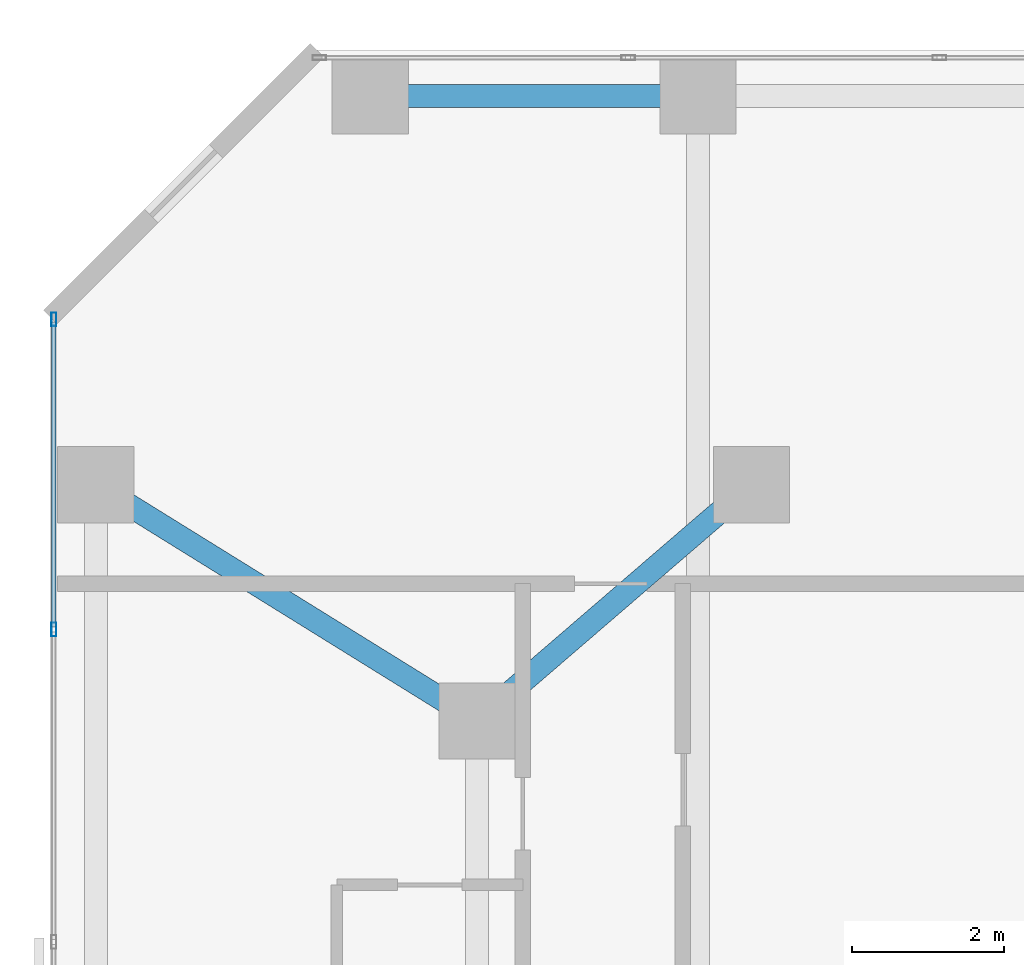
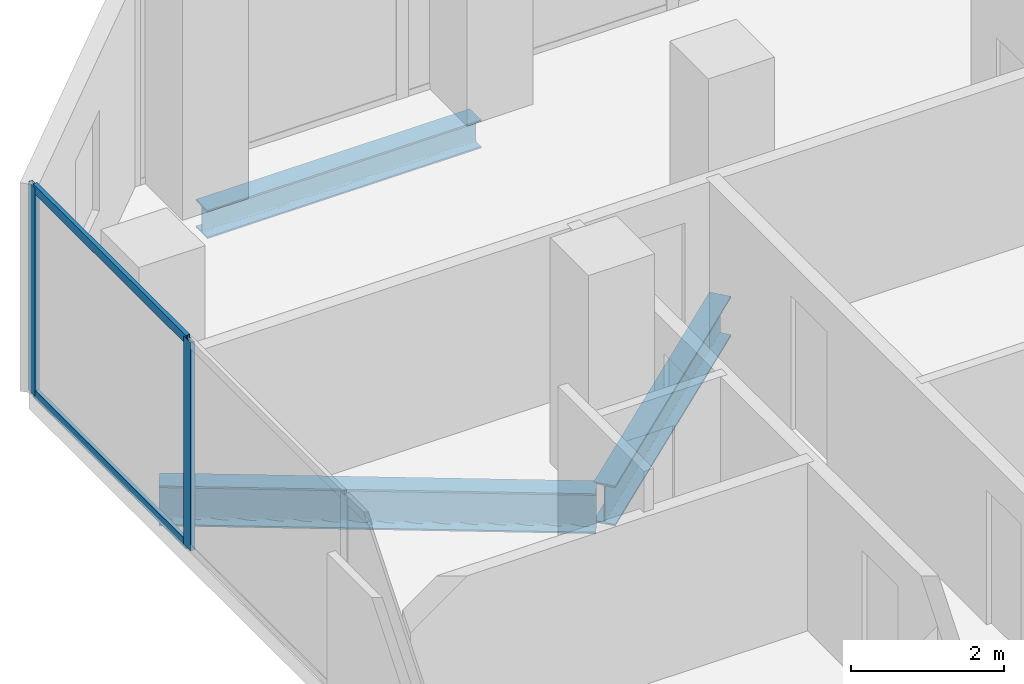
# One storey, part 18 of 32: 4 members, 3 beams, 1 element without a shape of its own.
"""IFC4 building model written with IfcOpenShell, lengths in metres."""

from ifc_helpers import new_model, si_unit, direction, frame, origin, origin_2d, place, context, subcontext, project, spatial, hollow_rectangle, i_section, extrude, material, layer, layer_set, material_profile, profile_set, type_object, element, aggregate, save


model = new_model("IFC4")

# Units and contexts
model_context = context("Model", 3, precision=1e-05, world=origin(), true_north=direction((0.0, 1.0)))
body_context = subcontext(model_context, "Body", "Model", "MODEL_VIEW")
ifc_project = project(units=[si_unit("LENGTHUNIT", "METRE"), si_unit("AREAUNIT", "SQUARE_METRE"), si_unit("VOLUMEUNIT", "CUBIC_METRE"), si_unit("PLANEANGLEUNIT", "RADIAN"), si_unit("MASSUNIT", "GRAM", prefix="KILO")], contexts=[model_context])

# Site, building, storey
site_placement = place(None, origin())
site = spatial("IfcSite", under=ifc_project, at=site_placement, CompositionType="ELEMENT")
building_placement = place(site_placement, origin())
building = spatial("IfcBuilding", under=site, at=building_placement, Name="Catumbela Crestline Tower", CompositionType="ELEMENT")
storey_placement = place(building_placement, frame((0.0, 0.0, 29.4)))
storey = spatial("IfcBuildingStorey", under=building, at=storey_placement, Name="L06", CompositionType="ELEMENT", Elevation=29.4)

# Beams
ifc_material_1 = material(Name="Structural steel S355J2", Category="steel")
ifc_material_profile_1 = material_profile(ifc_material_1, i_section(OverallWidth=0.3, OverallDepth=0.64, WebThickness=0.0135, FlangeThickness=0.026, FilletRadius=0.027, at=origin_2d()), Name="HEA 650")
ifc_profile_set_1 = profile_set([ifc_material_profile_1], Name="Structural steel S355J2")
beam_type_1 = type_object("IfcBeamType", Name="BG-HEA650", PredefinedType="BEAM", material=ifc_profile_set_1)
beam_1_placement = place(storey_placement, frame((0.668, 42.2578, -0.58), z_axis=(0.849908952007, -0.526929571479, 0.0), x_axis=(0.526929571479, 0.849908952007, 0.0)))
element("IfcBeam", 1, at=beam_1_placement, inside=storey, type_object=beam_type_1, Name="L06 Beam BM-L06-N13", PredefinedType="BEAM", context=body_context, shape_type="SweptSolid", body=[
    extrude(i_section(OverallWidth=0.3, OverallDepth=0.64, WebThickness=0.0135, FlangeThickness=0.026, FilletRadius=0.027, at=origin_2d()), origin(), (0.0, 0.0, 1.0), 5.723),
])
beam_2_placement = place(storey_placement, frame((5.6606, 39.2522, -0.58), z_axis=(0.757772392559, 0.652518966066, 0.0), x_axis=(-0.652518966066, 0.757772392559, 0.0)))
element("IfcBeam", 2, at=beam_2_placement, inside=storey, type_object=beam_type_1, Name="L06 Beam BM-L06-N14", PredefinedType="BEAM", context=body_context, shape_type="SweptSolid", body=[
    extrude(i_section(OverallWidth=0.3, OverallDepth=0.64, WebThickness=0.0135, FlangeThickness=0.026, FilletRadius=0.027, at=origin_2d()), origin(), (0.0, 0.0, 1.0), 4.5908),
])

# Curtain wall, members
ifc_material_2 = material(Name="Aluminium alloy AW-6060-T66", Category="aluminium")
ifc_layer = layer(ifc_material_2, 0.18, Name="Aluminium alloy AW-6060-T66")
ifc_layer_set = layer_set([ifc_layer], Name="Aluminium alloy AW-6060-T66")
curtain_wall_type = type_object("IfcCurtainWallType", Name="CWU-Z1", PredefinedType="USERDEFINED", material=ifc_layer_set)
curtain_wall_placement = place(storey_placement, origin())
curtain_wall = element("IfcCurtainWall", 3, at=curtain_wall_placement, inside=storey, type_object=curtain_wall_type, Name="L06 Unitised Curtain Wall CW-L06-E9S1", ObjectType="UNITISED", PredefinedType="USERDEFINED")
ifc_material_profile_2 = material_profile(ifc_material_2, hollow_rectangle(XDim=0.065, YDim=0.18, WallThickness=0.004, at=origin_2d()), Name="ALU 180x65x4")
ifc_profile_set_2 = profile_set([ifc_material_profile_2], Name="Aluminium alloy AW-6060-T66")
member_type_1 = type_object("IfcMemberType", Name="MUL-180X65", PredefinedType="MULLION", material=ifc_profile_set_2)
member_1_placement = place(storey_placement, frame((0.05, 44.4675, 0.0), z_axis=(0.0, 0.0, 1.0), x_axis=(1.0, 0.0, 0.0)))
member_1 = element("IfcMember", 4, at=member_1_placement, type_object=member_type_1, Name="CWU-Z1 mullion 1", PredefinedType="MULLION", context=body_context, shape_type="SweptSolid", body=[
    extrude(hollow_rectangle(XDim=0.065, YDim=0.18, WallThickness=0.004, at=origin_2d()), origin(), (0.0, 0.0, 1.0), 3.33),
])
member_2_placement = place(storey_placement, frame((0.05, 40.4, 0.0), z_axis=(0.0, 0.0, 1.0), x_axis=(1.0, 0.0, 0.0)))
member_2 = element("IfcMember", 5, at=member_2_placement, type_object=member_type_1, Name="CWU-Z1 mullion 2", PredefinedType="MULLION", context=body_context, shape_type="SweptSolid", body=[
    extrude(hollow_rectangle(XDim=0.065, YDim=0.18, WallThickness=0.004, at=origin_2d()), origin(), (0.0, 0.0, 1.0), 3.33),
])

# Beam
ifc_material_profile_3 = material_profile(ifc_material_1, i_section(OverallWidth=0.3, OverallDepth=0.45, WebThickness=0.014, FlangeThickness=0.026, FilletRadius=0.027, at=origin_2d()), Name="HEB 450")
ifc_profile_set_3 = profile_set([ifc_material_profile_3], Name="Structural steel S355J2")
beam_type_2 = type_object("IfcBeamType", Name="BS-HEB450", PredefinedType="SPANDREL", material=ifc_profile_set_3)
beam_3_placement = place(storey_placement, frame((4.28, 47.4, -0.485), z_axis=(1.0, 0.0, 0.0), x_axis=(0.0, 1.0, 0.0)))
element("IfcBeam", 6, at=beam_3_placement, inside=storey, type_object=beam_type_2, Name="L06 Spandrel SP-L06-NF19", PredefinedType="SPANDREL", context=body_context, shape_type="SweptSolid", body=[
    extrude(i_section(OverallWidth=0.3, OverallDepth=0.45, WebThickness=0.014, FlangeThickness=0.026, FilletRadius=0.027, at=origin_2d()), origin(), (0.0, 0.0, 1.0), 4.14),
])

# Member
ifc_material_profile_4 = material_profile(ifc_material_2, hollow_rectangle(XDim=0.06, YDim=0.14, WallThickness=0.004, at=origin_2d()), Name="ALU 140x60x4")
ifc_profile_set_4 = profile_set([ifc_material_profile_4], Name="Aluminium alloy AW-6060-T66")
member_type_2 = type_object("IfcMemberType", Name="TRN-140X60", PredefinedType="USERDEFINED", material=ifc_profile_set_4)
member_3_placement = place(storey_placement, frame((0.05, 44.435, 0.03), z_axis=(0.0, -1.0, 0.0), x_axis=(1.0, 0.0, 0.0)))
member_3 = element("IfcMember", 7, at=member_3_placement, type_object=member_type_2, Name="CWU-Z1 transom 1.1", ObjectType="TRANSOM", PredefinedType="USERDEFINED", context=body_context, shape_type="SweptSolid", body=[
    extrude(hollow_rectangle(XDim=0.06, YDim=0.14, WallThickness=0.004, at=origin_2d()), origin(), (0.0, 0.0, 1.0), 4.0025),
])

member_4_placement = place(storey_placement, frame((0.05, 44.435, 3.3), z_axis=(0.0, -1.0, 0.0), x_axis=(1.0, 0.0, 0.0)))
member_4 = element("IfcMember", 8, at=member_4_placement, type_object=member_type_2, Name="CWU-Z1 transom 1.2", ObjectType="TRANSOM", PredefinedType="USERDEFINED", context=body_context, shape_type="SweptSolid", body=[
    extrude(hollow_rectangle(XDim=0.06, YDim=0.14, WallThickness=0.004, at=origin_2d()), origin(), (0.0, 0.0, 1.0), 4.0025),
])

aggregate(curtain_wall, [member_1, member_2, member_3, member_4])

save(model, "model.ifc")
